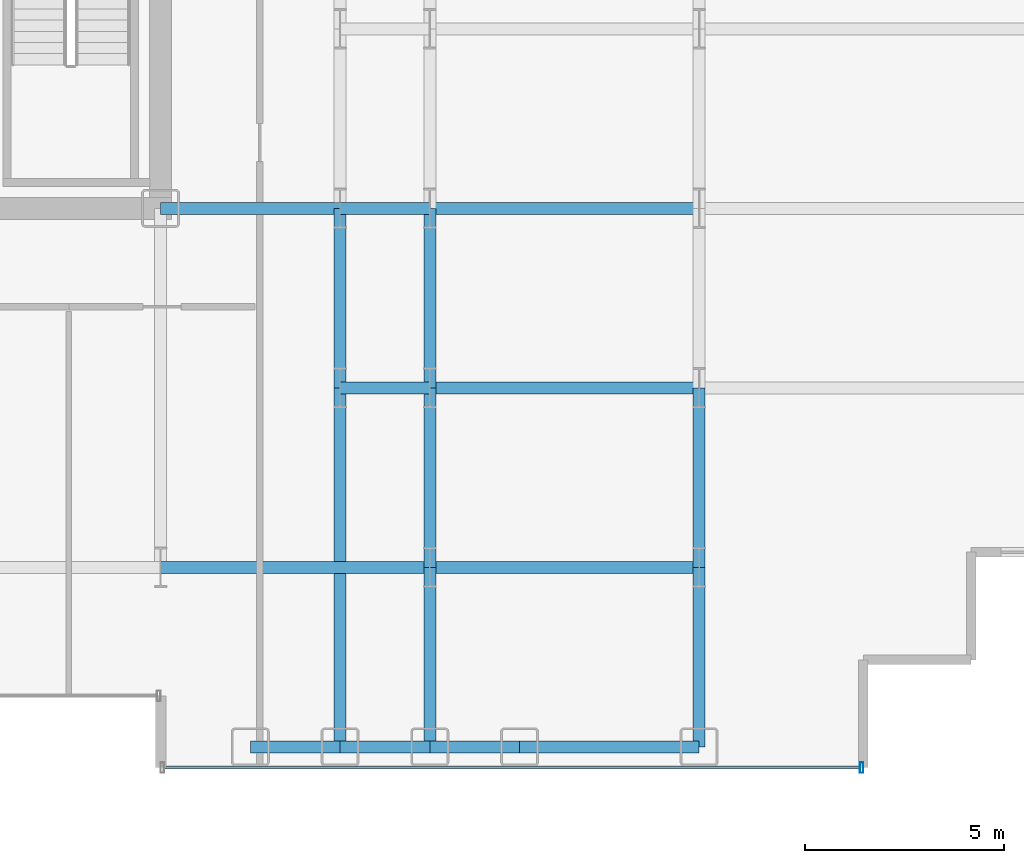
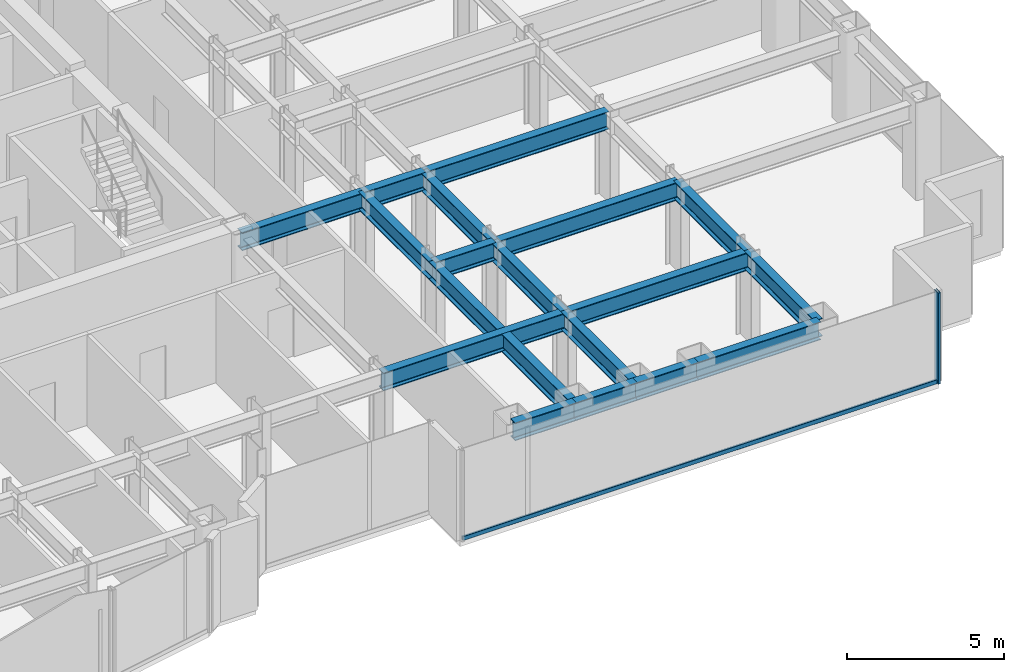
# One storey, part 7 of 26: 18 beams, 2 members, 1 element without a shape of its own.
"""IFC4 building model written with IfcOpenShell, lengths in metres."""

from ifc_helpers import new_model, si_unit, direction, frame, origin, origin_2d, place, context, subcontext, project, spatial, hollow_rectangle, i_section, extrude, source, transform, mapped, material, layer, layer_set, material_profile, profile_set, type_object, element, aggregate, save


model = new_model("IFC4")

# Units and contexts
model_context = context("Model", 3, precision=1e-05, world=origin(), true_north=direction((0.0, 1.0)))
body_context = subcontext(model_context, "Body", "Model", "MODEL_VIEW")
ifc_project = project(units=[si_unit("LENGTHUNIT", "METRE"), si_unit("AREAUNIT", "SQUARE_METRE"), si_unit("VOLUMEUNIT", "CUBIC_METRE"), si_unit("PLANEANGLEUNIT", "RADIAN"), si_unit("MASSUNIT", "GRAM", prefix="KILO")], contexts=[model_context])

# Site, building, storey
site_placement = place(None, origin())
site = spatial("IfcSite", under=ifc_project, at=site_placement, CompositionType="ELEMENT")
building_placement = place(site_placement, origin())
building = spatial("IfcBuilding", under=site, at=building_placement, Name="Nefas-Gora Pilgrimage Tower", CompositionType="ELEMENT")
storey_placement = place(building_placement, frame((0.0, 0.0, 106.0)))
storey = spatial("IfcBuildingStorey", under=building, at=storey_placement, Name="L25", CompositionType="ELEMENT", Elevation=106.0)

# Beams
ifc_material_1 = material(Name="Steel S355", Category="steel")
ifc_material_profile_1 = material_profile(ifc_material_1, i_section(OverallWidth=0.300048828125, OverallDepth=0.699951171875, WebThickness=0.01708984375, FlangeThickness=0.031982421875, FilletRadius=0.027099609375, at=origin_2d()), Name="HEB 700")
ifc_profile_set_1 = profile_set([ifc_material_profile_1], Name="Steel S355")
beam_type_1 = type_object("IfcBeamType", Name="BM-SPN-HEB600", PredefinedType="SPANDREL", material=ifc_profile_set_1)
shared_shape_1 = source(origin(), body_context, "Body", "SweptSolid", [
    extrude(i_section(OverallWidth=0.300048828125, OverallDepth=0.699951171875, WebThickness=0.01708984375, FlangeThickness=0.031982421875, FilletRadius=0.027099609375, at=origin_2d()), origin(), (0.0, 0.0, 1.0), 4.5),
])
beam_1_placement = place(storey_placement, frame((20.25, -22.5, 3.199951171875), z_axis=(1.0, 0.0, 0.0), x_axis=(0.0, 1.0, 0.0)))
element("IfcBeam", 1, at=beam_1_placement, inside=storey, type_object=beam_type_1, Name="L25 SP-01 beam", PredefinedType="SPANDREL", context=body_context, shape_type="MappedRepresentation", body=[
    mapped(shared_shape_1, transform((0.0, 0.0, 0.0), x_axis=(1.0, 0.0, 0.0), y_axis=(0.0, 1.0, 0.0), z_axis=(0.0, 0.0, 1.0), scale=1.0)),
])
ifc_material_profile_2 = material_profile(ifc_material_1, i_section(OverallWidth=0.300048828125, OverallDepth=0.699951171875, WebThickness=0.01708984375, FlangeThickness=0.031982421875, FilletRadius=0.027099609375, at=origin_2d()), Name="HEB 700")
ifc_profile_set_2 = profile_set([ifc_material_profile_2], Name="Steel S355")
beam_type_2 = type_object("IfcBeamType", Name="BM-GIR-HEB700", PredefinedType="BEAM", material=ifc_profile_set_2)
shared_shape_2 = source(origin(), body_context, "Body", "SweptSolid", [
    extrude(i_section(OverallWidth=0.300048828125, OverallDepth=0.699951171875, WebThickness=0.01708984375, FlangeThickness=0.031982421875, FilletRadius=0.027099609375, at=origin_2d()), origin(), (0.0, 0.0, 1.0), 9.0),
])
beam_2_placement = place(storey_placement, frame((15.75, -22.5, 3.199951171875), z_axis=(0.0, 1.0, 0.0), x_axis=(-1.0, 0.0, 0.0)))
element("IfcBeam", 2, at=beam_2_placement, inside=storey, type_object=beam_type_2, Name="L25 G-02 beam", PredefinedType="BEAM", context=body_context, shape_type="MappedRepresentation", body=[
    mapped(shared_shape_2, transform((0.0, 0.0, 0.0), x_axis=(1.0, 0.0, 0.0), y_axis=(0.0, 1.0, 0.0), z_axis=(0.0, 0.0, 1.0), scale=1.0)),
])
shared_shape_3 = source(origin(), body_context, "Body", "SweptSolid", [
    extrude(i_section(OverallWidth=0.300048828125, OverallDepth=0.699951171875, WebThickness=0.01708984375, FlangeThickness=0.031982421875, FilletRadius=0.027099609375, at=origin_2d()), origin(), (0.0, 0.0, 1.0), 4.5),
])
for number, where, z_axis, x_axis, name in (
    (3, (11.25, -9.0, 3.199951171875), (1.0, 0.0, 0.0), (0.0, 1.0, 0.0), "L25 G-02 beam"),
    (4, (15.75, -13.5, 3.199951171875), (0.0, 1.0, 0.0), (-1.0, 0.0, 0.0), "L25 G-02 beam"),
    (5, (18.0, -22.5, 3.199951171875), (0.0, 1.0, 0.0), (-1.0, 0.0, 0.0), "L25 G-02 beam"),
    (6, (18.0, -18.0, 3.199951171875), (0.0, 1.0, 0.0), (-1.0, 0.0, 0.0), "L25 G-02 beam"),
    (7, (18.0, -13.5, 3.199951171875), (0.0, 1.0, 0.0), (-1.0, 0.0, 0.0), "L25 G-02 beam"),
    (8, (24.75, -22.5, 3.199951171875), (0.0, 1.0, 0.0), (-1.0, 0.0, 0.0), "L25 G-02 beam"),
    (9, (24.75, -18.0, 3.199951171875), (0.0, 1.0, 0.0), (-1.0, 0.0, 0.0), "L25 G-02 beam"),
):
    element("IfcBeam", number, at=place(storey_placement, frame(where, z_axis=z_axis, x_axis=x_axis)), inside=storey, type_object=beam_type_2, Name=name, PredefinedType="BEAM", context=body_context, shape_type="MappedRepresentation", body=[
        mapped(shared_shape_3, transform((0.0, 0.0, 0.0), x_axis=(1.0, 0.0, 0.0), y_axis=(0.0, 1.0, 0.0), z_axis=(0.0, 0.0, 1.0), scale=1.0)),
    ])
shared_shape_4 = source(origin(), body_context, "Body", "SweptSolid", [
    extrude(i_section(OverallWidth=0.300048828125, OverallDepth=0.699951171875, WebThickness=0.01708984375, FlangeThickness=0.031982421875, FilletRadius=0.027099609375, at=origin_2d()), origin(), (0.0, 0.0, 1.0), 6.75),
])
for number, where, z_axis, x_axis, name in (
    (10, (11.25, -18.0, 3.199951171875), (1.0, 0.0, 0.0), (0.0, 1.0, 0.0), "L25 G-02 beam"),
    (11, (18.0, -18.0, 3.199951171875), (1.0, 0.0, 0.0), (0.0, 1.0, 0.0), "L25 G-02 beam"),
    (12, (18.0, -13.5, 3.199951171875), (1.0, 0.0, 0.0), (0.0, 1.0, 0.0), "L25 G-02 beam"),
    (13, (18.0, -9.0, 3.199951171875), (1.0, 0.0, 0.0), (0.0, 1.0, 0.0), "L25 G-02 beam"),
):
    element("IfcBeam", number, at=place(storey_placement, frame(where, z_axis=z_axis, x_axis=x_axis)), inside=storey, type_object=beam_type_2, Name=name, PredefinedType="BEAM", context=body_context, shape_type="MappedRepresentation", body=[
        mapped(shared_shape_4, transform((0.0, 0.0, 0.0), x_axis=(1.0, 0.0, 0.0), y_axis=(0.0, 1.0, 0.0), z_axis=(0.0, 0.0, 1.0), scale=1.0)),
    ])
shared_shape_5 = source(origin(), body_context, "Body", "SweptSolid", [
    extrude(i_section(OverallWidth=0.300048828125, OverallDepth=0.699951171875, WebThickness=0.01708984375, FlangeThickness=0.031982421875, FilletRadius=0.027099609375, at=origin_2d()), origin(), (0.0, 0.0, 1.0), 2.25),
])
for number, where, z_axis, x_axis, name in (
    (14, (13.5, -22.5, 3.199951171875), (1.0, 0.0, 0.0), (0.0, 1.0, 0.0), "L25 SP-01 beam"),
    (15, (15.75, -22.5, 3.199951171875), (1.0, 0.0, 0.0), (0.0, 1.0, 0.0), "L25 SP-01 beam"),
    (16, (18.0, -22.5, 3.199951171875), (1.0, 0.0, 0.0), (0.0, 1.0, 0.0), "L25 SP-01 beam"),
):
    element("IfcBeam", number, at=place(storey_placement, frame(where, z_axis=z_axis, x_axis=x_axis)), inside=storey, type_object=beam_type_1, Name=name, PredefinedType="SPANDREL", context=body_context, shape_type="MappedRepresentation", body=[
        mapped(shared_shape_5, transform((0.0, 0.0, 0.0), x_axis=(1.0, 0.0, 0.0), y_axis=(0.0, 1.0, 0.0), z_axis=(0.0, 0.0, 1.0), scale=1.0)),
    ])
shared_shape_6 = source(origin(), body_context, "Body", "SweptSolid", [
    extrude(i_section(OverallWidth=0.300048828125, OverallDepth=0.699951171875, WebThickness=0.01708984375, FlangeThickness=0.031982421875, FilletRadius=0.027099609375, at=origin_2d()), origin(), (0.0, 0.0, 1.0), 2.25),
])
for number, where, z_axis, x_axis, name in (
    (17, (15.75, -13.5, 3.199951171875), (1.0, 0.0, 0.0), (0.0, 1.0, 0.0), "L25 G-02 beam"),
    (18, (15.75, -9.0, 3.199951171875), (1.0, 0.0, 0.0), (0.0, 1.0, 0.0), "L25 G-02 beam"),
):
    element("IfcBeam", number, at=place(storey_placement, frame(where, z_axis=z_axis, x_axis=x_axis)), inside=storey, type_object=beam_type_2, Name=name, PredefinedType="BEAM", context=body_context, shape_type="MappedRepresentation", body=[
        mapped(shared_shape_6, transform((0.0, 0.0, 0.0), x_axis=(1.0, 0.0, 0.0), y_axis=(0.0, 1.0, 0.0), z_axis=(0.0, 0.0, 1.0), scale=1.0)),
    ])

# Curtain wall, members
ifc_material_2 = material(Name="Dark ceramic-fritted solar-control aluminium-glass curtain wall", Category="aluminium")
ifc_layer = layer(ifc_material_2, 0.219970703125)
ifc_layer_set = layer_set([ifc_layer], Name="Dark ceramic-fritted solar-control aluminium-glass curtain wall")
curtain_wall_type = type_object("IfcCurtainWallType", Name="CW-SYS-2", PredefinedType="NOTDEFINED", material=ifc_layer_set)
curtain_wall_placement = place(storey_placement, origin())
curtain_wall = element("IfcCurtainWall", 19, at=curtain_wall_placement, inside=storey, type_object=curtain_wall_type, Name="L25 Unitised Curtain Wall CW2", PredefinedType="NOTDEFINED")
ifc_material_3 = material(Name="Anodised architectural aluminium", Category="aluminium")
ifc_material_profile_3 = material_profile(ifc_material_3, hollow_rectangle(XDim=0.090087890625, YDim=0.260009765625, WallThickness=0.006103515625, InnerFilletRadius=0.006103515625, OuterFilletRadius=0.011962890625, at=origin_2d()), Name="ALU MULLION 90x260")
ifc_profile_set_3 = profile_set([ifc_material_profile_3], Name="Anodised architectural aluminium")
member_type_1 = type_object("IfcMemberType", Name="CWM-MUL-2", PredefinedType="MULLION", material=ifc_profile_set_3)
shared_shape_7 = source(origin(), body_context, "Body", "SweptSolid", [
    extrude(hollow_rectangle(XDim=0.090087890625, YDim=0.260009765625, WallThickness=0.006103515625, InnerFilletRadius=0.006103515625, OuterFilletRadius=0.011962890625, at=origin_2d()), origin(), (0.0, 0.0, 1.0), 3.550048828125),
])
member_1_placement = place(storey_placement, frame((28.824951171875, -23.02001953125, 0.0), z_axis=(0.0, 0.0, 1.0), x_axis=(1.0, 0.0, 0.0)))
member_1 = element("IfcMember", 20, at=member_1_placement, type_object=member_type_1, Name="CW2 Mullion 2", PredefinedType="MULLION", context=body_context, shape_type="MappedRepresentation", body=[
    mapped(shared_shape_7, transform((0.0, 0.0, 0.0), x_axis=(1.0, 0.0, 0.0), y_axis=(0.0, 1.0, 0.0), z_axis=(0.0, 0.0, 1.0), scale=1.0)),
])
ifc_material_profile_4 = material_profile(ifc_material_3, hollow_rectangle(XDim=0.080078125, YDim=0.159912109375, WallThickness=0.00439453125, InnerFilletRadius=0.00439453125, OuterFilletRadius=0.009033203125, at=origin_2d()), Name="ALU TRANSOM 80x160")
ifc_profile_set_4 = profile_set([ifc_material_profile_4], Name="Anodised architectural aluminium")
member_type_2 = type_object("IfcMemberType", Name="CWM-TRN-2", PredefinedType="USERDEFINED", material=ifc_profile_set_4)
shared_shape_8 = source(origin(), body_context, "Body", "SweptSolid", [
    extrude(hollow_rectangle(XDim=0.080078125, YDim=0.159912109375, WallThickness=0.00439453125, InnerFilletRadius=0.00439453125, OuterFilletRadius=0.009033203125, at=origin_2d()), origin(), (0.0, 0.0, 1.0), 17.43994140625),
])
member_2_placement = place(storey_placement, frame((11.340087890625, -23.02001953125, 0.050048828125), z_axis=(1.0, 0.0, 0.0), x_axis=(0.0, 1.0, 0.0)))
member_2 = element("IfcMember", 21, at=member_2_placement, type_object=member_type_2, Name="CW2 Spandrel Transom", ObjectType="TRANSOM", PredefinedType="USERDEFINED", context=body_context, shape_type="MappedRepresentation", body=[
    mapped(shared_shape_8, transform((0.0, 0.0, 0.0), x_axis=(1.0, 0.0, 0.0), y_axis=(0.0, 1.0, 0.0), z_axis=(0.0, 0.0, 1.0), scale=1.0)),
])
aggregate(curtain_wall, [member_1, member_2])

save(model, "model.ifc")
